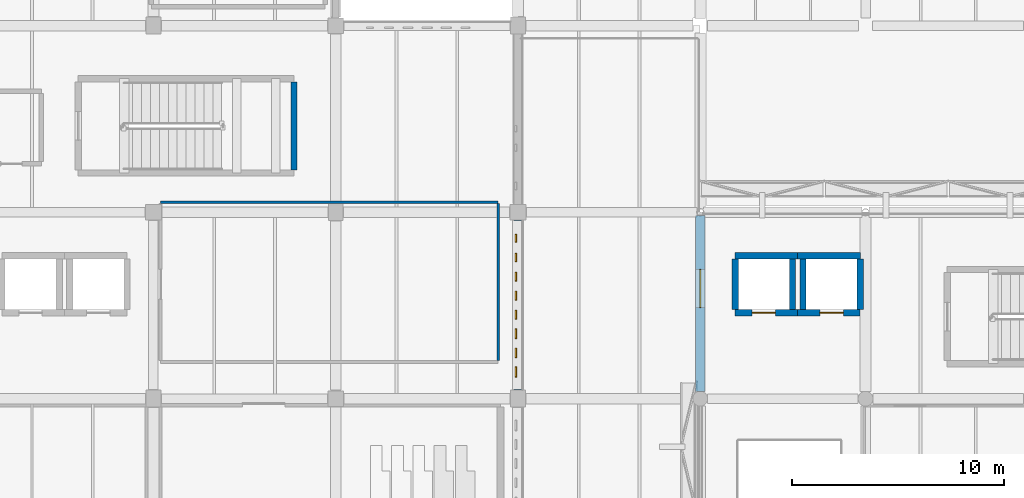
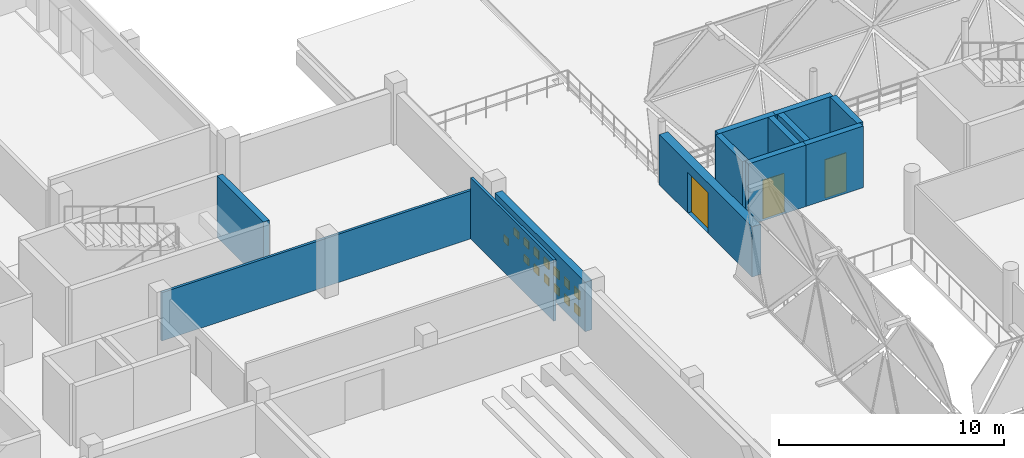
# One storey, part 78 of 93: 14 windows, 13 walls, 3 doors, 17 openings.
"""IFC4 building model written with IfcOpenShell, lengths in metres."""

import ifcopenshell
import ifcopenshell.guid

model = None  # the IFC model being written
_history = None  # IfcOwnerHistory: only IFC2X3 demands one
_inside = {}  # id of a spatial element -> (the spatial element, [elements in it])
_under = {}  # id of a project, library or spatial element -> (it, [spatial elements below it])
_declared = {}  # id of a project -> (the project, [libraries it declares])
_typed = {}  # id of a type object -> (the type object, [elements of that type])
_made_of = {}  # id of a material, layer set ... -> (it, [elements and type objects made of it])


def new_model(schema):
    """Start an empty IFC model of exactly this schema.

    Asked for "IFC4X3", IfcOpenShell would pick the latest addendum, in which some entities
    have other attributes; the version numbers below select the first issue.
    IFC2X3 requires an IfcOwnerHistory on every rooted entity: one is made here for all.
    """
    global model, _history
    if schema == "IFC4X3":
        model = ifcopenshell.file(schema_version=(4, 3, 0, 0))
    else:
        model = ifcopenshell.file(schema=schema)
    _inside.clear()
    _under.clear()
    _declared.clear()
    _typed.clear()
    _made_of.clear()
    _history = None
    if model.schema == "IFC2X3":
        org = make("IfcOrganization", Name="unknown")
        user = make(
            "IfcPersonAndOrganization",
            ThePerson=make("IfcPerson", FamilyName="unknown"),
            TheOrganization=org,
        )
        app = make(
            "IfcApplication",
            ApplicationDeveloper=org,
            Version="unknown",
            ApplicationFullName="unknown",
            ApplicationIdentifier="unknown",
        )
        _history = make(
            "IfcOwnerHistory",
            OwningUser=user,
            OwningApplication=app,
            ChangeAction="ADDED",
            CreationDate=0,
        )
    return model


def make(cls, **values):
    """One entity of the class cls with the attributes given. An attribute that is None is left unset."""
    return model.create_entity(
        cls, **{name: value for name, value in values.items() if value is not None}
    )


def rooted(cls, **values):
    """An entity with a GlobalId (a new one), such as an element, a storey or a relation."""
    return make(cls, GlobalId=ifcopenshell.guid.new(), OwnerHistory=_history, **values)


def si_unit(unit_type, name, prefix=None):
    """IfcSIUnit, for example si_unit("LENGTHUNIT", "METRE", prefix="MILLI")."""
    return make("IfcSIUnit", UnitType=unit_type, Prefix=prefix, Name=name)


def assignment(units):
    """IfcUnitAssignment: the units of a project."""
    return None if units is None else make("IfcUnitAssignment", Units=units)


def point(xyz):
    """IfcCartesianPoint."""
    return None if xyz is None else make("IfcCartesianPoint", Coordinates=xyz)


def direction(xyz):
    """IfcDirection."""
    return None if xyz is None else make("IfcDirection", DirectionRatios=xyz)


def frame(location, z_axis=None, x_axis=None):
    """IfcAxis2Placement3D, a coordinate frame: its origin and axes. An axis left out is left unset."""
    return make(
        "IfcAxis2Placement3D",
        Location=point(location),
        Axis=direction(z_axis),
        RefDirection=direction(x_axis),
    )


def frame_2d(location, x_axis=None):
    """IfcAxis2Placement2D, a coordinate frame in the plane: its origin and x axis."""
    return make(
        "IfcAxis2Placement2D", Location=point(location), RefDirection=direction(x_axis)
    )


def origin():
    """The frame at (0, 0, 0) with its axes left unset."""
    return frame((0.0, 0.0, 0.0))


def place(relative_to, where):
    """IfcLocalPlacement: puts the frame where relative to a parent placement (None: the world)."""
    return make(
        "IfcLocalPlacement", PlacementRelTo=relative_to, RelativePlacement=where
    )


def context(
    kind, dimensions, precision=None, world=None, true_north=None, identifier=None
):
    """IfcGeometricRepresentationContext, for example the 3D "Model" context."""
    return make(
        "IfcGeometricRepresentationContext",
        ContextIdentifier=identifier,
        ContextType=kind,
        CoordinateSpaceDimension=dimensions,
        Precision=precision,
        WorldCoordinateSystem=world,
        TrueNorth=true_north,
    )


def subcontext(parent, identifier, kind, view, scale=None):
    """IfcGeometricRepresentationSubContext, for example "Body" below "Model"."""
    return make(
        "IfcGeometricRepresentationSubContext",
        ContextIdentifier=identifier,
        ContextType=kind,
        ParentContext=parent,
        TargetScale=scale,
        TargetView=view,
    )


def project(units=None, contexts=None):
    """IfcProject with its units and contexts."""
    return rooted(
        "IfcProject",
        Name="project",
        RepresentationContexts=contexts,
        UnitsInContext=assignment(units),
    )


def spatial(cls, under=None, at=None, **own):
    """A site, building, storey or space (cls), placed at a placement, below another one or the project."""
    s = rooted(cls, ObjectPlacement=at, **own)
    if under is not None:
        _under.setdefault(under.id(), (under, []))[1].append(s)
    return s


def profile(cls, at=None, kind="AREA", **sizes):
    """A parametric profile (cls). Its sizes go by their IFC names, for example OverallWidth=200.0."""
    return make(cls, ProfileType=kind, Position=at, **sizes)


def rectangle(**sizes):
    """IfcRectangleProfileDef."""
    return profile("IfcRectangleProfileDef", **sizes)


def extrude(swept, where, along, depth):
    """IfcExtrudedAreaSolid: the profile swept, set in the frame where, extruded along a direction by depth."""
    return make(
        "IfcExtrudedAreaSolid",
        SweptArea=swept,
        Position=where,
        ExtrudedDirection=direction(along),
        Depth=depth,
    )


def shape(context_of_items, identifier, shape_type, items):
    """IfcShapeRepresentation: the items that make up one representation, for example the "Body"."""
    return make(
        "IfcShapeRepresentation",
        ContextOfItems=context_of_items,
        RepresentationIdentifier=identifier,
        RepresentationType=shape_type,
        Items=items,
    )


def material(Name=None, Category=None):
    """IfcMaterial."""
    return make("IfcMaterial", Name=Name, Category=Category)


def layer(
    of_material, thickness, ventilated=None, Name=None, Category=None, Priority=None
):
    """IfcMaterialLayer: one layer of a wall or slab, of a material (None: an air gap)."""
    return make(
        "IfcMaterialLayer",
        Material=of_material,
        LayerThickness=thickness,
        IsVentilated=ventilated,
        Name=Name,
        Category=Category,
        Priority=Priority,
    )


def layer_set(layers, Name=None):
    """IfcMaterialLayerSet."""
    return make("IfcMaterialLayerSet", MaterialLayers=layers, LayerSetName=Name)


def made_of(thing, what):
    """Note that an element or type object is made of a material, layer set ...; save() writes the relation."""
    if what is not None:
        _made_of.setdefault(what.id(), (what, []))[1].append(thing)
    return thing


def type_object(cls, material=None, **own):
    """A type object (cls), such as IfcWallType, which elements share."""
    return made_of(rooted(cls, **own), material)


def element(
    cls,
    number,
    at=None,
    inside=None,
    cuts=None,
    type_object=None,
    material=None,
    context=None,
    identifier="Body",
    shape_type=None,
    held_by="IfcProductDefinitionShape",
    body=None,
    shapes=None,
    **own,
):
    """One element of the class cls, such as IfcWall. Its Tag is "e" and its number.

    at: its placement. inside: the storey or other place that contains it. cuts: it is an
    opening in that element (IfcRelVoidsElement). A single representation is given by context,
    identifier, shape_type and body (its items); several are given by shapes. held_by: the class
    of the entity that holds the representations. save() writes the other relations.
    """
    e = rooted(cls, Tag="e%d" % number, ObjectPlacement=at, **own)
    if body is not None:
        shapes = [shape(context, identifier, shape_type, body)]
    if shapes is not None:
        e.Representation = make(held_by, Representations=shapes)
    if inside is not None:
        _inside.setdefault(inside.id(), (inside, []))[1].append(e)
    if cuts is not None:
        rooted(
            "IfcRelVoidsElement", RelatingBuildingElement=cuts, RelatedOpeningElement=e
        )
    if type_object is not None:
        _typed.setdefault(type_object.id(), (type_object, []))[1].append(e)
    return made_of(e, material)


def fill(opening, filler):
    """IfcRelFillsElement: the door or window that sits in an opening."""
    return rooted(
        "IfcRelFillsElement",
        RelatingOpeningElement=opening,
        RelatedBuildingElement=filler,
    )


def aggregate(whole, parts):
    """IfcRelAggregates: a whole, such as a stair, and the parts it consists of."""
    return rooted("IfcRelAggregates", RelatingObject=whole, RelatedObjects=parts)


def save(model, path):
    """Write the relations noted so far, then the file.

    IfcRelAggregates (storeys below a building ...), IfcRelContainedInSpatialStructure (elements
    in a storey), IfcRelDefinesByType, IfcRelAssociatesMaterial and IfcRelDeclares: one each for
    every whole, place, type object, material and project.
    """
    for whole, parts in _under.values():
        aggregate(whole, parts)
    for where, things in _inside.values():
        rooted(
            "IfcRelContainedInSpatialStructure",
            RelatedElements=things,
            RelatingStructure=where,
        )
    for kind, things in _typed.values():
        rooted("IfcRelDefinesByType", RelatedObjects=things, RelatingType=kind)
    for what, things in _made_of.values():
        rooted("IfcRelAssociatesMaterial", RelatedObjects=things, RelatingMaterial=what)
    for by, libraries in _declared.values():
        rooted("IfcRelDeclares", RelatingContext=by, RelatedDefinitions=libraries)
    model.write(path)


model = new_model("IFC4")

# Units and contexts
model_context = context("Model", 3, precision=1e-05, world=origin(), true_north=direction((0.0, 1.0)))
body_context = subcontext(model_context, "Body", "Model", "MODEL_VIEW")
ifc_project = project(units=[si_unit("LENGTHUNIT", "METRE"), si_unit("AREAUNIT", "SQUARE_METRE"), si_unit("VOLUMEUNIT", "CUBIC_METRE"), si_unit("PLANEANGLEUNIT", "RADIAN"), si_unit("MASSUNIT", "GRAM", prefix="KILO")], contexts=[model_context])

# Site, building, storey
site_placement = place(None, origin())
site = spatial("IfcSite", under=ifc_project, at=site_placement, CompositionType="ELEMENT")
building_placement = place(site_placement, origin())
building = spatial("IfcBuilding", under=site, at=building_placement, Name="Varnakota Cinema and Media Centre", CompositionType="ELEMENT")
storey_placement = place(building_placement, frame((0.0, 0.0, 12.0)))
storey = spatial("IfcBuildingStorey", under=building, at=storey_placement, Name="L03", CompositionType="ELEMENT", Elevation=12.0)

# Wall
ifc_material_1 = material(Name="Concrete M40", Category="concrete")
ifc_layer_1 = layer(ifc_material_1, 0.300048828125)
ifc_layer_set_1 = layer_set([ifc_layer_1], Name="Concrete M40")
wall_type_1 = type_object("IfcWallType", Name="W-CORE-300", PredefinedType="SHEAR", material=ifc_layer_set_1)
wall_1_placement = place(storey_placement, frame((32.429931640625, 32.550048828125, 0.0), z_axis=(0.0, 0.0, 1.0), x_axis=(0.0, -1.0, 0.0)))
element("IfcWall", 1, at=wall_1_placement, inside=storey, type_object=wall_type_1, Name="L03 CWALL-ST-02-L03 E wall", PredefinedType="SHEAR", context=body_context, shape_type="SweptSolid", body=[
    extrude(rectangle(XDim=4.150146484375, YDim=0.300048828125, at=frame_2d((2.0751953125, 0.0))), origin(), (0.0, 0.0, 1.0), 3.35009765625),
])

# Wall, opening, door
wall_2_placement = place(storey_placement, frame((56.199951171875, 21.64990234375, 0.0), z_axis=(0.0, 0.0, 1.0), x_axis=(-1.0, 0.0, 0.0)))
wall_2 = element("IfcWall", 2, at=wall_2_placement, inside=storey, type_object=wall_type_1, Name="L03 LSHAFT-LF-05-L03 S wall", PredefinedType="SHEAR", context=body_context, shape_type="SweptSolid", body=[
    extrude(rectangle(XDim=2.949951171875, YDim=0.300048828125, at=frame_2d((1.47509765625, 0.0))), origin(), (0.0, 0.0, 1.0), 3.35009765625),
])
opening_1_placement = place(wall_2_placement, frame((1.050048828125, 0.0, 0.0)))
opening_1 = element("IfcOpeningElement", 3, at=opening_1_placement, cuts=wall_2, Name="Opening LD-05", PredefinedType="OPENING", context=body_context, shape_type="SweptSolid", body=[
    extrude(rectangle(XDim=1.10009765625, YDim=2.10009765625, at=frame_2d((0.550048828125, 1.050048828125))), frame((0.0, 0.14990234375, 0.0), z_axis=(0.0, -1.0, 0.0), x_axis=(1.0, 0.0, 0.0)), (0.0, 0.0, 1.0), 0.300048828125),
])
ifc_material_2 = material(Name="Thermally broken anodised aluminium AW-6063", Category="aluminium")
door_type_1 = type_object("IfcDoorType", Name="DR-LIFT-1100x2100", OperationType="SLIDING_TO_LEFT", PredefinedType="DOOR", material=ifc_material_2)
door_1_placement = place(opening_1_placement, origin())
door_1 = element("IfcDoor", 4, at=door_1_placement, inside=storey, type_object=door_type_1, Name="L03 door LD-05", OperationType="SLIDING_TO_LEFT", OverallHeight=2.10009765625, OverallWidth=1.10009765625, PredefinedType="DOOR", context=body_context, shape_type="SweptSolid", body=[
    extrude(rectangle(XDim=1.10009765625, YDim=2.10009765625, at=frame_2d((0.550048828125, 1.050048828125))), frame((0.0, 0.02490234375, 0.0), z_axis=(0.0, -1.0, 0.0), x_axis=(1.0, 0.0, 0.0)), (0.0, 0.0, 1.0), 0.050048828125),
])
fill(opening_1, door_1)

# Walls
wall_3_placement = place(storey_placement, frame((53.25, 21.800048828125, 0.0), z_axis=(0.0, 0.0, 1.0), x_axis=(0.0, 1.0, 0.0)))
element("IfcWall", 5, at=wall_3_placement, inside=storey, type_object=wall_type_1, Name="L03 LSHAFT-LF-05-L03 W wall", PredefinedType="SHEAR", context=body_context, shape_type="SweptSolid", body=[
    extrude(rectangle(XDim=2.39990234375, YDim=0.300048828125, at=frame_2d((1.199951171875, 0.0))), origin(), (0.0, 0.0, 1.0), 3.35009765625),
])
wall_4_placement = place(storey_placement, frame((53.25, 24.35009765625, 0.0), z_axis=(0.0, 0.0, 1.0), x_axis=(1.0, 0.0, 0.0)))
element("IfcWall", 6, at=wall_4_placement, inside=storey, type_object=wall_type_1, Name="L03 LSHAFT-LF-05-L03 N wall", PredefinedType="SHEAR", context=body_context, shape_type="SweptSolid", body=[
    extrude(rectangle(XDim=2.949951171875, YDim=0.300048828125, at=frame_2d((1.47509765625, 0.0))), origin(), (0.0, 0.0, 1.0), 3.35009765625),
])
wall_5_placement = place(storey_placement, frame((55.949951171875, 24.199951171875, 0.0), z_axis=(0.0, 0.0, 1.0), x_axis=(0.0, -1.0, 0.0)))
element("IfcWall", 7, at=wall_5_placement, inside=storey, type_object=wall_type_1, Name="L03 LSHAFT-LF-05-L03 E wall", PredefinedType="SHEAR", context=body_context, shape_type="SweptSolid", body=[
    extrude(rectangle(XDim=2.39990234375, YDim=0.300048828125, at=frame_2d((1.199951171875, 0.0))), origin(), (0.0, 0.0, 1.0), 3.35009765625),
])

# Wall, opening, door
wall_6_placement = place(storey_placement, frame((59.14990234375, 21.64990234375, 0.0), z_axis=(0.0, 0.0, 1.0), x_axis=(-1.0, 0.0, 0.0)))
wall_6 = element("IfcWall", 8, at=wall_6_placement, inside=storey, type_object=wall_type_1, Name="L03 LSHAFT-LF-06-L03 S wall", PredefinedType="SHEAR", context=body_context, shape_type="SweptSolid", body=[
    extrude(rectangle(XDim=2.949951171875, YDim=0.300048828125, at=frame_2d((1.47509765625, 0.0))), origin(), (0.0, 0.0, 1.0), 3.35009765625),
])
opening_2_placement = place(wall_6_placement, frame((0.800048828125, 0.0, 0.0)))
opening_2 = element("IfcOpeningElement", 9, at=opening_2_placement, cuts=wall_6, Name="Opening LD-06", PredefinedType="OPENING", context=body_context, shape_type="SweptSolid", body=[
    extrude(rectangle(XDim=1.10009765625, YDim=2.10009765625, at=frame_2d((0.550048828125, 1.050048828125))), frame((0.0, 0.14990234375, 0.0), z_axis=(0.0, -1.0, 0.0), x_axis=(1.0, 0.0, 0.0)), (0.0, 0.0, 1.0), 0.300048828125),
])
door_2_placement = place(opening_2_placement, origin())
door_2 = element("IfcDoor", 10, at=door_2_placement, inside=storey, type_object=door_type_1, Name="L03 door LD-06", OperationType="SLIDING_TO_LEFT", OverallHeight=2.10009765625, OverallWidth=1.10009765625, PredefinedType="DOOR", context=body_context, shape_type="SweptSolid", body=[
    extrude(rectangle(XDim=1.10009765625, YDim=2.10009765625, at=frame_2d((0.550048828125, 1.050048828125))), frame((0.0, 0.02490234375, 0.0), z_axis=(0.0, -1.0, 0.0), x_axis=(1.0, 0.0, 0.0)), (0.0, 0.0, 1.0), 0.050048828125),
])
fill(opening_2, door_2)

# Walls
wall_7_placement = place(storey_placement, frame((56.449951171875, 21.800048828125, 0.0), z_axis=(0.0, 0.0, 1.0), x_axis=(0.0, 1.0, 0.0)))
element("IfcWall", 11, at=wall_7_placement, inside=storey, type_object=wall_type_1, Name="L03 LSHAFT-LF-06-L03 W wall", PredefinedType="SHEAR", context=body_context, shape_type="SweptSolid", body=[
    extrude(rectangle(XDim=2.39990234375, YDim=0.300048828125, at=frame_2d((1.199951171875, 0.0))), origin(), (0.0, 0.0, 1.0), 3.35009765625),
])
wall_8_placement = place(storey_placement, frame((56.199951171875, 24.35009765625, 0.0), z_axis=(0.0, 0.0, 1.0), x_axis=(1.0, 0.0, 0.0)))
element("IfcWall", 12, at=wall_8_placement, inside=storey, type_object=wall_type_1, Name="L03 LSHAFT-LF-06-L03 N wall", PredefinedType="SHEAR", context=body_context, shape_type="SweptSolid", body=[
    extrude(rectangle(XDim=2.949951171875, YDim=0.300048828125, at=frame_2d((1.47509765625, 0.0))), origin(), (0.0, 0.0, 1.0), 3.35009765625),
])
wall_9_placement = place(storey_placement, frame((59.14990234375, 24.199951171875, 0.0), z_axis=(0.0, 0.0, 1.0), x_axis=(0.0, -1.0, 0.0)))
element("IfcWall", 13, at=wall_9_placement, inside=storey, type_object=wall_type_1, Name="L03 LSHAFT-LF-06-L03 E wall", PredefinedType="SHEAR", context=body_context, shape_type="SweptSolid", body=[
    extrude(rectangle(XDim=2.39990234375, YDim=0.300048828125, at=frame_2d((1.199951171875, 0.0))), origin(), (0.0, 0.0, 1.0), 3.35009765625),
])

# Wall, opening, door
ifc_material_3 = material(Name="Deccan grey granite ashlar", Category="masonry")
ifc_layer_2 = layer(ifc_material_3, 0.43994140625)
ifc_layer_set_2 = layer_set([ifc_layer_2], Name="Deccan grey granite ashlar")
wall_type_2 = type_object("IfcWallType", Name="W-EXT-HALL-440", PredefinedType="SOLIDWALL", material=ifc_layer_set_2)
wall_10_placement = place(storey_placement, frame((51.60009765625, 26.238037109375, 0.0), z_axis=(0.0, 0.0, 1.0), x_axis=(0.0, -1.0, 0.0)))
wall_10 = element("IfcWall", 14, at=wall_10_placement, inside=storey, type_object=wall_type_2, Name="L03 exterior wall V6-W-PORT-1", PredefinedType="SOLIDWALL", context=body_context, shape_type="SweptSolid", body=[
    extrude(rectangle(XDim=8.2880859375, YDim=0.43994140625, at=frame_2d((4.14404296875, 0.0))), origin(), (0.0, 0.0, 1.0), 2.735107421875),
])
opening_3_placement = place(wall_10_placement, frame((2.5380859375, 0.0, 0.0)))
opening_3 = element("IfcOpeningElement", 15, at=opening_3_placement, cuts=wall_10, Name="Opening TD-03", PredefinedType="OPENING", context=body_context, shape_type="SweptSolid", body=[
    extrude(rectangle(XDim=1.800048828125, YDim=2.199951171875, at=frame_2d((0.89990234375, 1.10009765625))), frame((0.0, 0.219970703125, 0.0), z_axis=(0.0, -1.0, 0.0), x_axis=(1.0, 0.0, 0.0)), (0.0, 0.0, 1.0), 0.43994140625),
])
ifc_material_4 = material(Name="Anodised golden-bronze aluminium AW-6063", Category="aluminium")
door_type_2 = type_object("IfcDoorType", Name="DR-TERR-1800x2200", OperationType="DOUBLE_DOOR_SINGLE_SWING", PredefinedType="DOOR", material=ifc_material_4)
door_3_placement = place(opening_3_placement, origin())
door_3 = element("IfcDoor", 16, at=door_3_placement, inside=storey, type_object=door_type_2, Name="L03 door TD-03", OperationType="DOUBLE_DOOR_SINGLE_SWING", OverallHeight=2.199951171875, OverallWidth=1.800048828125, PredefinedType="DOOR", context=body_context, shape_type="SweptSolid", body=[
    extrude(rectangle(XDim=1.800048828125, YDim=2.199951171875, at=frame_2d((0.89990234375, 1.10009765625))), frame((0.0, 0.02490234375, 0.0), z_axis=(0.0, -1.0, 0.0), x_axis=(1.0, 0.0, 0.0)), (0.0, 0.0, 1.0), 0.050048828125),
])
fill(opening_3, door_3)

# Wall, openings, windows
ifc_material_5 = material(Name="Pale Tandur limestone cladding", Category="masonry")
ifc_layer_3 = layer(ifc_material_5, 0.360107421875)
ifc_layer_set_3 = layer_set([ifc_layer_3], Name="Pale Tandur limestone cladding")
wall_type_3 = type_object("IfcWallType", Name="W-EXT-TANDUR-360", PredefinedType="SOLIDWALL", material=ifc_layer_set_3)
wall_11_placement = place(storey_placement, frame((43.0, 26.02490234375, 0.0), z_axis=(0.0, 0.0, 1.0), x_axis=(0.0, -1.0, 0.0)))
wall_11 = element("IfcWall", 17, at=wall_11_placement, inside=storey, type_object=wall_type_3, Name="L03 V4 pale Tandur stone monolith wall V4-E-02", PredefinedType="SOLIDWALL", context=body_context, shape_type="SweptSolid", body=[
    extrude(rectangle(XDim=8.02490234375, YDim=0.360107421875, at=frame_2d((4.012451171875, 0.0))), origin(), (0.0, 0.0, 1.0), 2.68505859375),
])
opening_4_placement = place(wall_11_placement, frame((0.672607421875, 0.0, 0.419921875)))
opening_4 = element("IfcOpeningElement", 18, at=opening_4_placement, cuts=wall_11, Name="Opening WP10", PredefinedType="OPENING", context=body_context, shape_type="SweptSolid", body=[
    extrude(rectangle(XDim=0.3798828125, YDim=0.3798828125, at=frame_2d((0.18994140625, 0.18994140625))), frame((0.0, 0.18017578125, 0.0), z_axis=(0.0, -1.0, 0.0), x_axis=(1.0, 0.0, 0.0)), (0.0, 0.0, 1.0), 0.360107421875),
])
opening_5_placement = place(wall_11_placement, frame((1.5625, 0.0, 1.320068359375)))
opening_5 = element("IfcOpeningElement", 19, at=opening_5_placement, cuts=wall_11, Name="Opening WP09", PredefinedType="OPENING", context=body_context, shape_type="SweptSolid", body=[
    extrude(rectangle(XDim=0.39990234375, YDim=0.39990234375, at=frame_2d((0.199951171875, 0.199951171875))), frame((0.0, 0.18017578125, 0.0), z_axis=(0.0, -1.0, 0.0), x_axis=(1.0, 0.0, 0.0)), (0.0, 0.0, 1.0), 0.360107421875),
])
opening_6_placement = place(wall_11_placement, frame((2.46240234375, 0.0, 0.419921875)))
opening_6 = element("IfcOpeningElement", 20, at=opening_6_placement, cuts=wall_11, Name="Opening WP09", PredefinedType="OPENING", context=body_context, shape_type="SweptSolid", body=[
    extrude(rectangle(XDim=0.39990234375, YDim=0.39990234375, at=frame_2d((0.199951171875, 0.199951171875))), frame((0.0, 0.18017578125, 0.0), z_axis=(0.0, -1.0, 0.0), x_axis=(1.0, 0.0, 0.0)), (0.0, 0.0, 1.0), 0.360107421875),
])
opening_7_placement = place(wall_11_placement, frame((2.452392578125, 0.0, 1.320068359375)))
opening_7 = element("IfcOpeningElement", 21, at=opening_7_placement, cuts=wall_11, Name="Opening WP08", PredefinedType="OPENING", context=body_context, shape_type="SweptSolid", body=[
    extrude(rectangle(XDim=0.419921875, YDim=0.419921875, at=frame_2d((0.2099609375, 0.2099609375))), frame((0.0, 0.18017578125, 0.0), z_axis=(0.0, -1.0, 0.0), x_axis=(1.0, 0.0, 0.0)), (0.0, 0.0, 1.0), 0.360107421875),
])
opening_8_placement = place(wall_11_placement, frame((3.3525390625, 0.0, 0.419921875)))
opening_8 = element("IfcOpeningElement", 22, at=opening_8_placement, cuts=wall_11, Name="Opening WP08", PredefinedType="OPENING", context=body_context, shape_type="SweptSolid", body=[
    extrude(rectangle(XDim=0.419921875, YDim=0.419921875, at=frame_2d((0.2099609375, 0.2099609375))), frame((0.0, 0.18017578125, 0.0), z_axis=(0.0, -1.0, 0.0), x_axis=(1.0, 0.0, 0.0)), (0.0, 0.0, 1.0), 0.360107421875),
])
opening_9_placement = place(wall_11_placement, frame((3.342529296875, 0.0, 1.320068359375)))
opening_9 = element("IfcOpeningElement", 23, at=opening_9_placement, cuts=wall_11, Name="Opening WP07", PredefinedType="OPENING", context=body_context, shape_type="SweptSolid", body=[
    extrude(rectangle(XDim=0.43994140625, YDim=0.43994140625, at=frame_2d((0.219970703125, 0.219970703125))), frame((0.0, 0.18017578125, 0.0), z_axis=(0.0, -1.0, 0.0), x_axis=(1.0, 0.0, 0.0)), (0.0, 0.0, 1.0), 0.360107421875),
])
opening_10_placement = place(wall_11_placement, frame((4.25244140625, 0.0, 0.419921875)))
opening_10 = element("IfcOpeningElement", 24, at=opening_10_placement, cuts=wall_11, Name="Opening WP08", PredefinedType="OPENING", context=body_context, shape_type="SweptSolid", body=[
    extrude(rectangle(XDim=0.419921875, YDim=0.419921875, at=frame_2d((0.2099609375, 0.2099609375))), frame((0.0, 0.18017578125, 0.0), z_axis=(0.0, -1.0, 0.0), x_axis=(1.0, 0.0, 0.0)), (0.0, 0.0, 1.0), 0.360107421875),
])
opening_11_placement = place(wall_11_placement, frame((4.242431640625, 0.0, 1.320068359375)))
opening_11 = element("IfcOpeningElement", 25, at=opening_11_placement, cuts=wall_11, Name="Opening WP07", PredefinedType="OPENING", context=body_context, shape_type="SweptSolid", body=[
    extrude(rectangle(XDim=0.43994140625, YDim=0.43994140625, at=frame_2d((0.219970703125, 0.219970703125))), frame((0.0, 0.18017578125, 0.0), z_axis=(0.0, -1.0, 0.0), x_axis=(1.0, 0.0, 0.0)), (0.0, 0.0, 1.0), 0.360107421875),
])
opening_12_placement = place(wall_11_placement, frame((5.142578125, 0.0, 0.419921875)))
opening_12 = element("IfcOpeningElement", 26, at=opening_12_placement, cuts=wall_11, Name="Opening WP07", PredefinedType="OPENING", context=body_context, shape_type="SweptSolid", body=[
    extrude(rectangle(XDim=0.43994140625, YDim=0.43994140625, at=frame_2d((0.219970703125, 0.219970703125))), frame((0.0, 0.18017578125, 0.0), z_axis=(0.0, -1.0, 0.0), x_axis=(1.0, 0.0, 0.0)), (0.0, 0.0, 1.0), 0.360107421875),
])
opening_13_placement = place(wall_11_placement, frame((5.132568359375, 0.0, 1.320068359375)))
opening_13 = element("IfcOpeningElement", 27, at=opening_13_placement, cuts=wall_11, Name="Opening WP06", PredefinedType="OPENING", context=body_context, shape_type="SweptSolid", body=[
    extrude(rectangle(XDim=0.4599609375, YDim=0.4599609375, at=frame_2d((0.22998046875, 0.22998046875))), frame((0.0, 0.18017578125, 0.0), z_axis=(0.0, -1.0, 0.0), x_axis=(1.0, 0.0, 0.0)), (0.0, 0.0, 1.0), 0.360107421875),
])
opening_14_placement = place(wall_11_placement, frame((6.04248046875, 0.0, 0.419921875)))
opening_14 = element("IfcOpeningElement", 28, at=opening_14_placement, cuts=wall_11, Name="Opening WP07", PredefinedType="OPENING", context=body_context, shape_type="SweptSolid", body=[
    extrude(rectangle(XDim=0.43994140625, YDim=0.43994140625, at=frame_2d((0.219970703125, 0.219970703125))), frame((0.0, 0.18017578125, 0.0), z_axis=(0.0, -1.0, 0.0), x_axis=(1.0, 0.0, 0.0)), (0.0, 0.0, 1.0), 0.360107421875),
])
opening_15_placement = place(wall_11_placement, frame((6.032470703125, 0.0, 1.320068359375)))
opening_15 = element("IfcOpeningElement", 29, at=opening_15_placement, cuts=wall_11, Name="Opening WP06", PredefinedType="OPENING", context=body_context, shape_type="SweptSolid", body=[
    extrude(rectangle(XDim=0.4599609375, YDim=0.4599609375, at=frame_2d((0.22998046875, 0.22998046875))), frame((0.0, 0.18017578125, 0.0), z_axis=(0.0, -1.0, 0.0), x_axis=(1.0, 0.0, 0.0)), (0.0, 0.0, 1.0), 0.360107421875),
])
opening_16_placement = place(wall_11_placement, frame((6.9326171875, 0.0, 0.419921875)))
opening_16 = element("IfcOpeningElement", 30, at=opening_16_placement, cuts=wall_11, Name="Opening WP06", PredefinedType="OPENING", context=body_context, shape_type="SweptSolid", body=[
    extrude(rectangle(XDim=0.4599609375, YDim=0.4599609375, at=frame_2d((0.22998046875, 0.22998046875))), frame((0.0, 0.18017578125, 0.0), z_axis=(0.0, -1.0, 0.0), x_axis=(1.0, 0.0, 0.0)), (0.0, 0.0, 1.0), 0.360107421875),
])
opening_17_placement = place(wall_11_placement, frame((6.922607421875, 0.0, 1.320068359375)))
opening_17 = element("IfcOpeningElement", 31, at=opening_17_placement, cuts=wall_11, Name="Opening WP05", PredefinedType="OPENING", context=body_context, shape_type="SweptSolid", body=[
    extrude(rectangle(XDim=0.47998046875, YDim=0.47998046875, at=frame_2d((0.239990234375, 0.239990234375))), frame((0.0, 0.18017578125, 0.0), z_axis=(0.0, -1.0, 0.0), x_axis=(1.0, 0.0, 0.0)), (0.0, 0.0, 1.0), 0.360107421875),
])
ifc_material_6 = material(Name="Laminated solar-control double glazing", Category="glass")
window_type_1 = type_object("IfcWindowType", Name="WIN-PIERCE-05", PartitioningType="SINGLE_PANEL", PredefinedType="WINDOW", material=ifc_material_6)
window_1_placement = place(opening_17_placement, origin())
window_1 = element("IfcWindow", 32, at=window_1_placement, inside=storey, type_object=window_type_1, Name="L03 window WP05", OverallHeight=0.47998046875, OverallWidth=0.47998046875, PartitioningType="SINGLE_PANEL", PredefinedType="WINDOW", context=body_context, shape_type="SweptSolid", body=[
    extrude(rectangle(XDim=0.47998046875, YDim=0.47998046875, at=frame_2d((0.239990234375, 0.239990234375))), frame((0.0, -0.070068359375, 0.0), z_axis=(0.0, -1.0, 0.0), x_axis=(1.0, 0.0, 0.0)), (0.0, 0.0, 1.0), 0.06005859375),
])
fill(opening_17, window_1)
ifc_material_7 = material(Name="Laminated solar-control double glazing", Category="glass")
window_type_2 = type_object("IfcWindowType", Name="WIN-PIERCE-06", PartitioningType="SINGLE_PANEL", PredefinedType="WINDOW", material=ifc_material_7)
window_2_placement = place(opening_13_placement, origin())
window_2 = element("IfcWindow", 33, at=window_2_placement, inside=storey, type_object=window_type_2, Name="L03 window WP06", OverallHeight=0.4599609375, OverallWidth=0.4599609375, PartitioningType="SINGLE_PANEL", PredefinedType="WINDOW", context=body_context, shape_type="SweptSolid", body=[
    extrude(rectangle(XDim=0.4599609375, YDim=0.4599609375, at=frame_2d((0.22998046875, 0.22998046875))), frame((0.0, -0.070068359375, 0.0), z_axis=(0.0, -1.0, 0.0), x_axis=(1.0, 0.0, 0.0)), (0.0, 0.0, 1.0), 0.06005859375),
])
fill(opening_13, window_2)
window_3_placement = place(opening_15_placement, origin())
window_3 = element("IfcWindow", 34, at=window_3_placement, inside=storey, type_object=window_type_2, Name="L03 window WP06", OverallHeight=0.4599609375, OverallWidth=0.4599609375, PartitioningType="SINGLE_PANEL", PredefinedType="WINDOW", context=body_context, shape_type="SweptSolid", body=[
    extrude(rectangle(XDim=0.4599609375, YDim=0.4599609375, at=frame_2d((0.22998046875, 0.22998046875))), frame((0.0, -0.070068359375, 0.0), z_axis=(0.0, -1.0, 0.0), x_axis=(1.0, 0.0, 0.0)), (0.0, 0.0, 1.0), 0.06005859375),
])
fill(opening_15, window_3)
window_4_placement = place(opening_16_placement, origin())
window_4 = element("IfcWindow", 35, at=window_4_placement, inside=storey, type_object=window_type_2, Name="L03 window WP06", OverallHeight=0.4599609375, OverallWidth=0.4599609375, PartitioningType="SINGLE_PANEL", PredefinedType="WINDOW", context=body_context, shape_type="SweptSolid", body=[
    extrude(rectangle(XDim=0.4599609375, YDim=0.4599609375, at=frame_2d((0.22998046875, 0.22998046875))), frame((0.0, -0.070068359375, 0.0), z_axis=(0.0, -1.0, 0.0), x_axis=(1.0, 0.0, 0.0)), (0.0, 0.0, 1.0), 0.06005859375),
])
fill(opening_16, window_4)
ifc_material_8 = material(Name="Laminated solar-control double glazing", Category="glass")
window_type_3 = type_object("IfcWindowType", Name="WIN-PIERCE-07", PartitioningType="SINGLE_PANEL", PredefinedType="WINDOW", material=ifc_material_8)
window_5_placement = place(opening_9_placement, origin())
window_5 = element("IfcWindow", 36, at=window_5_placement, inside=storey, type_object=window_type_3, Name="L03 window WP07", OverallHeight=0.43994140625, OverallWidth=0.43994140625, PartitioningType="SINGLE_PANEL", PredefinedType="WINDOW", context=body_context, shape_type="SweptSolid", body=[
    extrude(rectangle(XDim=0.43994140625, YDim=0.43994140625, at=frame_2d((0.219970703125, 0.219970703125))), frame((0.0, -0.070068359375, 0.0), z_axis=(0.0, -1.0, 0.0), x_axis=(1.0, 0.0, 0.0)), (0.0, 0.0, 1.0), 0.06005859375),
])
fill(opening_9, window_5)
window_6_placement = place(opening_11_placement, origin())
window_6 = element("IfcWindow", 37, at=window_6_placement, inside=storey, type_object=window_type_3, Name="L03 window WP07", OverallHeight=0.43994140625, OverallWidth=0.43994140625, PartitioningType="SINGLE_PANEL", PredefinedType="WINDOW", context=body_context, shape_type="SweptSolid", body=[
    extrude(rectangle(XDim=0.43994140625, YDim=0.43994140625, at=frame_2d((0.219970703125, 0.219970703125))), frame((0.0, -0.070068359375, 0.0), z_axis=(0.0, -1.0, 0.0), x_axis=(1.0, 0.0, 0.0)), (0.0, 0.0, 1.0), 0.06005859375),
])
fill(opening_11, window_6)
window_7_placement = place(opening_12_placement, origin())
window_7 = element("IfcWindow", 38, at=window_7_placement, inside=storey, type_object=window_type_3, Name="L03 window WP07", OverallHeight=0.43994140625, OverallWidth=0.43994140625, PartitioningType="SINGLE_PANEL", PredefinedType="WINDOW", context=body_context, shape_type="SweptSolid", body=[
    extrude(rectangle(XDim=0.43994140625, YDim=0.43994140625, at=frame_2d((0.219970703125, 0.219970703125))), frame((0.0, -0.070068359375, 0.0), z_axis=(0.0, -1.0, 0.0), x_axis=(1.0, 0.0, 0.0)), (0.0, 0.0, 1.0), 0.06005859375),
])
fill(opening_12, window_7)
window_8_placement = place(opening_14_placement, origin())
window_8 = element("IfcWindow", 39, at=window_8_placement, inside=storey, type_object=window_type_3, Name="L03 window WP07", OverallHeight=0.43994140625, OverallWidth=0.43994140625, PartitioningType="SINGLE_PANEL", PredefinedType="WINDOW", context=body_context, shape_type="SweptSolid", body=[
    extrude(rectangle(XDim=0.43994140625, YDim=0.43994140625, at=frame_2d((0.219970703125, 0.219970703125))), frame((0.0, -0.070068359375, 0.0), z_axis=(0.0, -1.0, 0.0), x_axis=(1.0, 0.0, 0.0)), (0.0, 0.0, 1.0), 0.06005859375),
])
fill(opening_14, window_8)
ifc_material_9 = material(Name="Laminated solar-control double glazing", Category="glass")
window_type_4 = type_object("IfcWindowType", Name="WIN-PIERCE-08", PartitioningType="SINGLE_PANEL", PredefinedType="WINDOW", material=ifc_material_9)
window_9_placement = place(opening_7_placement, origin())
window_9 = element("IfcWindow", 40, at=window_9_placement, inside=storey, type_object=window_type_4, Name="L03 window WP08", OverallHeight=0.419921875, OverallWidth=0.419921875, PartitioningType="SINGLE_PANEL", PredefinedType="WINDOW", context=body_context, shape_type="SweptSolid", body=[
    extrude(rectangle(XDim=0.419921875, YDim=0.419921875, at=frame_2d((0.2099609375, 0.2099609375))), frame((0.0, -0.070068359375, 0.0), z_axis=(0.0, -1.0, 0.0), x_axis=(1.0, 0.0, 0.0)), (0.0, 0.0, 1.0), 0.06005859375),
])
fill(opening_7, window_9)
window_10_placement = place(opening_8_placement, origin())
window_10 = element("IfcWindow", 41, at=window_10_placement, inside=storey, type_object=window_type_4, Name="L03 window WP08", OverallHeight=0.419921875, OverallWidth=0.419921875, PartitioningType="SINGLE_PANEL", PredefinedType="WINDOW", context=body_context, shape_type="SweptSolid", body=[
    extrude(rectangle(XDim=0.419921875, YDim=0.419921875, at=frame_2d((0.2099609375, 0.2099609375))), frame((0.0, -0.070068359375, 0.0), z_axis=(0.0, -1.0, 0.0), x_axis=(1.0, 0.0, 0.0)), (0.0, 0.0, 1.0), 0.06005859375),
])
fill(opening_8, window_10)
window_11_placement = place(opening_10_placement, origin())
window_11 = element("IfcWindow", 42, at=window_11_placement, inside=storey, type_object=window_type_4, Name="L03 window WP08", OverallHeight=0.419921875, OverallWidth=0.419921875, PartitioningType="SINGLE_PANEL", PredefinedType="WINDOW", context=body_context, shape_type="SweptSolid", body=[
    extrude(rectangle(XDim=0.419921875, YDim=0.419921875, at=frame_2d((0.2099609375, 0.2099609375))), frame((0.0, -0.070068359375, 0.0), z_axis=(0.0, -1.0, 0.0), x_axis=(1.0, 0.0, 0.0)), (0.0, 0.0, 1.0), 0.06005859375),
])
fill(opening_10, window_11)
ifc_material_10 = material(Name="Laminated solar-control double glazing", Category="glass")
window_type_5 = type_object("IfcWindowType", Name="WIN-PIERCE-09", PartitioningType="SINGLE_PANEL", PredefinedType="WINDOW", material=ifc_material_10)
window_12_placement = place(opening_5_placement, origin())
window_12 = element("IfcWindow", 43, at=window_12_placement, inside=storey, type_object=window_type_5, Name="L03 window WP09", OverallHeight=0.39990234375, OverallWidth=0.39990234375, PartitioningType="SINGLE_PANEL", PredefinedType="WINDOW", context=body_context, shape_type="SweptSolid", body=[
    extrude(rectangle(XDim=0.39990234375, YDim=0.39990234375, at=frame_2d((0.199951171875, 0.199951171875))), frame((0.0, -0.070068359375, 0.0), z_axis=(0.0, -1.0, 0.0), x_axis=(1.0, 0.0, 0.0)), (0.0, 0.0, 1.0), 0.06005859375),
])
fill(opening_5, window_12)
window_13_placement = place(opening_6_placement, origin())
window_13 = element("IfcWindow", 44, at=window_13_placement, inside=storey, type_object=window_type_5, Name="L03 window WP09", OverallHeight=0.39990234375, OverallWidth=0.39990234375, PartitioningType="SINGLE_PANEL", PredefinedType="WINDOW", context=body_context, shape_type="SweptSolid", body=[
    extrude(rectangle(XDim=0.39990234375, YDim=0.39990234375, at=frame_2d((0.199951171875, 0.199951171875))), frame((0.0, -0.070068359375, 0.0), z_axis=(0.0, -1.0, 0.0), x_axis=(1.0, 0.0, 0.0)), (0.0, 0.0, 1.0), 0.06005859375),
])
fill(opening_6, window_13)
ifc_material_11 = material(Name="Laminated solar-control double glazing", Category="glass")
window_type_6 = type_object("IfcWindowType", Name="WIN-PIERCE-10", PartitioningType="SINGLE_PANEL", PredefinedType="WINDOW", material=ifc_material_11)
window_14_placement = place(opening_4_placement, origin())
window_14 = element("IfcWindow", 45, at=window_14_placement, inside=storey, type_object=window_type_6, Name="L03 window WP10", OverallHeight=0.3798828125, OverallWidth=0.3798828125, PartitioningType="SINGLE_PANEL", PredefinedType="WINDOW", context=body_context, shape_type="SweptSolid", body=[
    extrude(rectangle(XDim=0.3798828125, YDim=0.3798828125, at=frame_2d((0.18994140625, 0.18994140625))), frame((0.0, -0.070068359375, 0.0), z_axis=(0.0, -1.0, 0.0), x_axis=(1.0, 0.0, 0.0)), (0.0, 0.0, 1.0), 0.06005859375),
])
fill(opening_4, window_14)

# Walls
ifc_material_12 = material(Name="Autoclaved aerated concrete blockwork", Category="masonry")
ifc_layer_4 = layer(ifc_material_12, 0.1298828125)
ifc_layer_set_4 = layer_set([ifc_layer_4], Name="Autoclaved aerated concrete blockwork")
wall_type_4 = type_object("IfcWallType", Name="W-PART-130", PredefinedType="PARTITIONING", material=ifc_layer_set_4)
wall_12_placement = place(storey_placement, frame((26.135009765625, 26.864990234375, 0.0), z_axis=(0.0, 0.0, 1.0), x_axis=(1.0, 0.0, 0.0)))
element("IfcWall", 46, at=wall_12_placement, inside=storey, type_object=wall_type_4, Name="L03 RWALL-RM-L03-SYMP N wall", PredefinedType="PARTITIONING", context=body_context, shape_type="SweptSolid", body=[
    extrude(rectangle(XDim=15.929931640625, YDim=0.1298828125, at=frame_2d((7.96484375, 0.0))), origin(), (0.0, 0.0, 1.0), 2.6298828125),
])
wall_13_placement = place(storey_placement, frame((42.06494140625, 26.800048828125, 0.0), z_axis=(0.0, 0.0, 1.0), x_axis=(0.0, -1.0, 0.0)))
element("IfcWall", 47, at=wall_13_placement, inside=storey, type_object=wall_type_4, Name="L03 RWALL-RM-L03-SYMP E wall", PredefinedType="PARTITIONING", context=body_context, shape_type="SweptSolid", body=[
    extrude(rectangle(XDim=7.400146484375, YDim=0.1298828125, at=frame_2d((3.7001953125, 0.0))), origin(), (0.0, 0.0, 1.0), 3.330078125),
])

save(model, "model.ifc")
